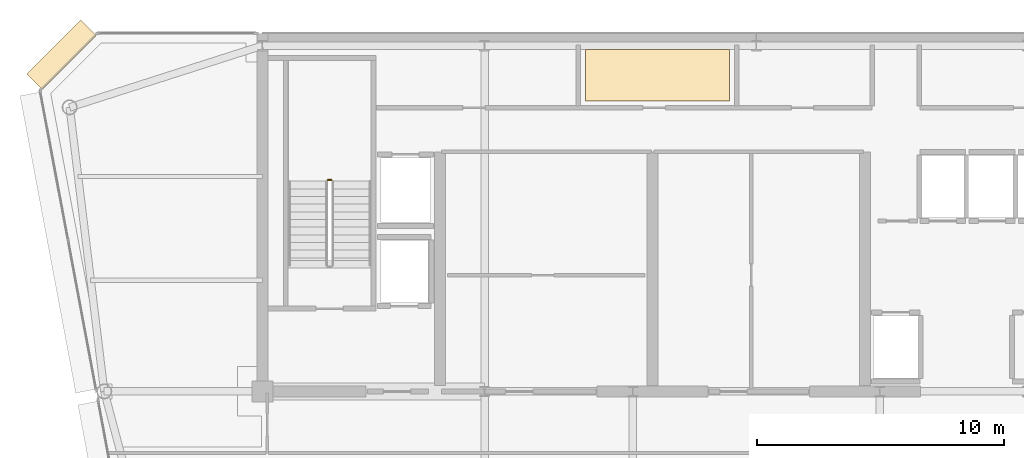
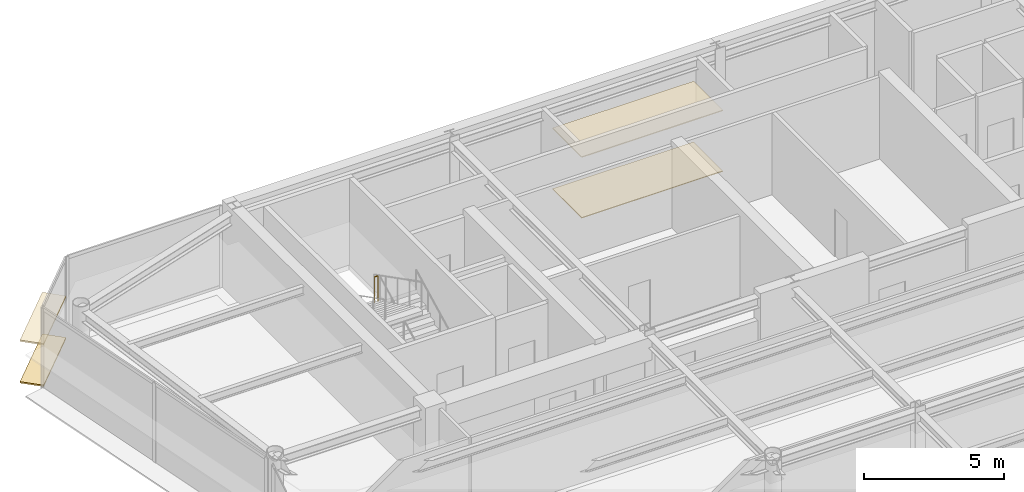
# One storey, part 17 of 19: 4 coverings, 1 railing.
"""IFC4 building model written with IfcOpenShell, lengths in metres."""

from ifc_helpers import new_model, si_unit, direction, frame, origin, origin_2d, place, context, subcontext, project, spatial, polyline, rectangle, circle, outline, extrude, source, transform, mapped, material, layer, layer_set, type_object, element, save


model = new_model("IFC4")

# Units and contexts
model_context = context("Model", 3, precision=1e-05, world=origin(), true_north=direction((0.0, 1.0)))
body_context = subcontext(model_context, "Body", "Model", "MODEL_VIEW")
ifc_project = project(units=[si_unit("LENGTHUNIT", "METRE"), si_unit("AREAUNIT", "SQUARE_METRE"), si_unit("VOLUMEUNIT", "CUBIC_METRE"), si_unit("PLANEANGLEUNIT", "RADIAN"), si_unit("MASSUNIT", "GRAM", prefix="KILO")], contexts=[model_context])

# Site, building, storey
site_placement = place(None, origin())
site = spatial("IfcSite", under=ifc_project, at=site_placement, CompositionType="ELEMENT")
building_placement = place(site_placement, origin())
building = spatial("IfcBuilding", under=site, at=building_placement, Name="Vaeldorn Concourse Tower", CompositionType="ELEMENT")
storey_placement = place(building_placement, frame((0.0, 0.0, 287.800048828125)))
storey = spatial("IfcBuildingStorey", under=building, at=storey_placement, Name="L74", CompositionType="ELEMENT", Elevation=287.800048828125)

# Coverings
ifc_material_1 = material(Name="Acoustic Mineral Fibre Board", Category="gypsum")
ifc_layer_1 = layer(ifc_material_1, 0.0400390625)
ifc_layer_set_1 = layer_set([ifc_layer_1], Name="Acoustic Mineral Fibre Board")
covering_type_1 = type_object("IfcCoveringType", Name="COV-CEIL-ACOUSTIC", PredefinedType="CEILING", material=ifc_layer_set_1)
covering_1_placement = place(storey_placement, frame((0.0, 0.0, 2.64990234375)))
element("IfcCovering", 1, at=covering_1_placement, inside=storey, type_object=covering_type_1, Name="Suspended Acoustic Ceiling L74-1", PredefinedType="CEILING", context=body_context, shape_type="SweptSolid", body=[
    extrude(outline(polyline([(27.080078125, 48.260009765625), (27.080078125, 50.35009765625), (32.919921875, 50.35009765625), (32.919921875, 48.260009765625), (27.080078125, 48.260009765625)])), origin(), (0.0, 0.0, 1.0), 0.0400390625),
])
ifc_material_2 = material(Name="Honed Limestone Terrazzo Flooring", Category="masonry")
ifc_layer_2 = layer(ifc_material_2, 0.0400390625)
ifc_layer_set_2 = layer_set([ifc_layer_2], Name="Honed Limestone Terrazzo Flooring")
covering_type_2 = type_object("IfcCoveringType", Name="COV-FLOOR-STONE", PredefinedType="FLOORING", material=ifc_layer_set_2)
covering_2_placement = place(storey_placement, origin())
element("IfcCovering", 2, at=covering_2_placement, inside=storey, type_object=covering_type_2, Name="Floor Finish Covering L74-1", PredefinedType="FLOORING", context=body_context, shape_type="SweptSolid", body=[
    extrude(outline(polyline([(27.080078125, 48.260009765625), (27.080078125, 50.35009765625), (32.919921875, 50.35009765625), (32.919921875, 48.260009765625), (27.080078125, 48.260009765625)])), origin(), (0.0, 0.0, 1.0), 0.030029296875),
])

# Railing
ifc_material_3 = material(Name="Anodised Bronze Aluminium", Category="aluminium")
railing_type = type_object("IfcRailingType", Name="RL-STAIR-GUARD", PredefinedType="GUARDRAIL", material=ifc_material_3)
railing_placement = place(storey_placement, frame((16.800048828125, 45.06005859375, 1.89990234375)))
element("IfcRailing", 3, at=railing_placement, inside=storey, type_object=railing_type, Name="L74 ST-1 stair guard 2", PredefinedType="GUARDRAIL", context=body_context, shape_type="SweptSolid", body=[
    extrude(circle(Radius=0.02392578125, at=origin_2d()), frame((0.0, 0.0, 1.1259765625), z_axis=(-1.0, 0.0, 0.0), x_axis=(0.0, -1.0, 0.0)), (0.0, 0.0, 1.0), 0.150146484375),
    extrude(circle(Radius=0.02099609375, at=origin_2d()), origin(), (0.0, 0.0, 1.0), 1.101806640625),
    extrude(circle(Radius=0.02099609375, at=origin_2d()), frame((-0.150146484375, 0.0, 0.0)), (0.0, 0.0, 1.0), 1.101806640625),
])

# Coverings
ifc_layer_3 = layer(ifc_material_3, 0.06494140625)
ifc_layer_set_3 = layer_set([ifc_layer_3], Name="Anodised Bronze Aluminium")
covering_type_3 = type_object("IfcCoveringType", Name="SD-BRONZE-SUNSHADE", PredefinedType="USERDEFINED", material=ifc_layer_set_3)
shared_shape = source(origin(), body_context, "Body", "SweptSolid", [
    extrude(rectangle(XDim=3.0927734375, YDim=0.8798828125, at=origin_2d()), origin(), (0.0, 0.0, 1.0), 0.06494140625),
])
for number, where, z_axis, x_axis, name in (
    (4, (5.8671875, 50.1328125, 0.04736328125), (0.0, 0.0, 1.0), (-0.707106781187, -0.707106781187, 0.0), "Horizontal Bronze Sunshade L74-E10.1.1"),
    (5, (5.8671875, 50.1328125, 1.867431640625), (0.0, 0.0, 1.0), (-0.707106781187, -0.707106781187, 0.0), "Horizontal Bronze Sunshade L74-E10.1.2"),
):
    element("IfcCovering", number, at=place(storey_placement, frame(where, z_axis=z_axis, x_axis=x_axis)), inside=storey, type_object=covering_type_3, Name=name, ObjectType="SUNSHADE", PredefinedType="USERDEFINED", context=body_context, shape_type="MappedRepresentation", body=[
        mapped(shared_shape, transform((0.0, 0.0, 0.0), scale=1.0)),
    ])

save(model, "model.ifc")
